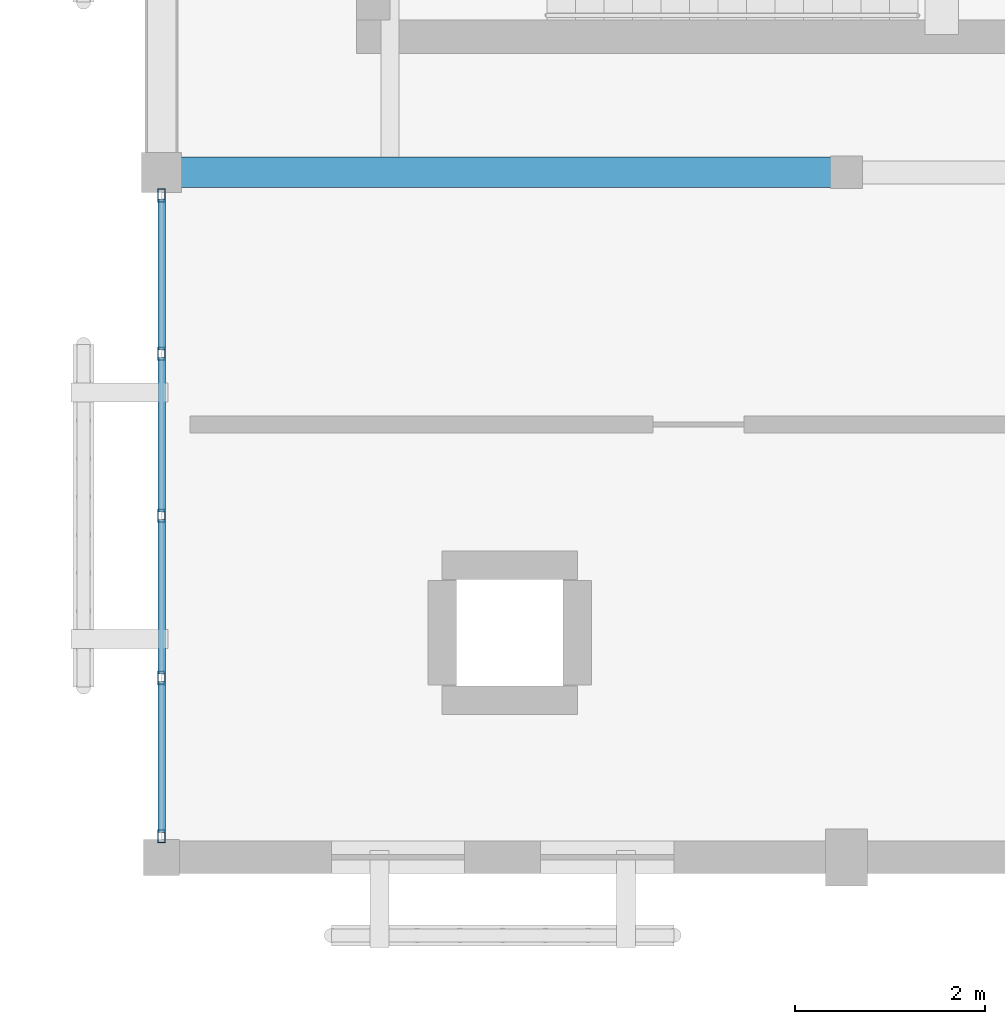
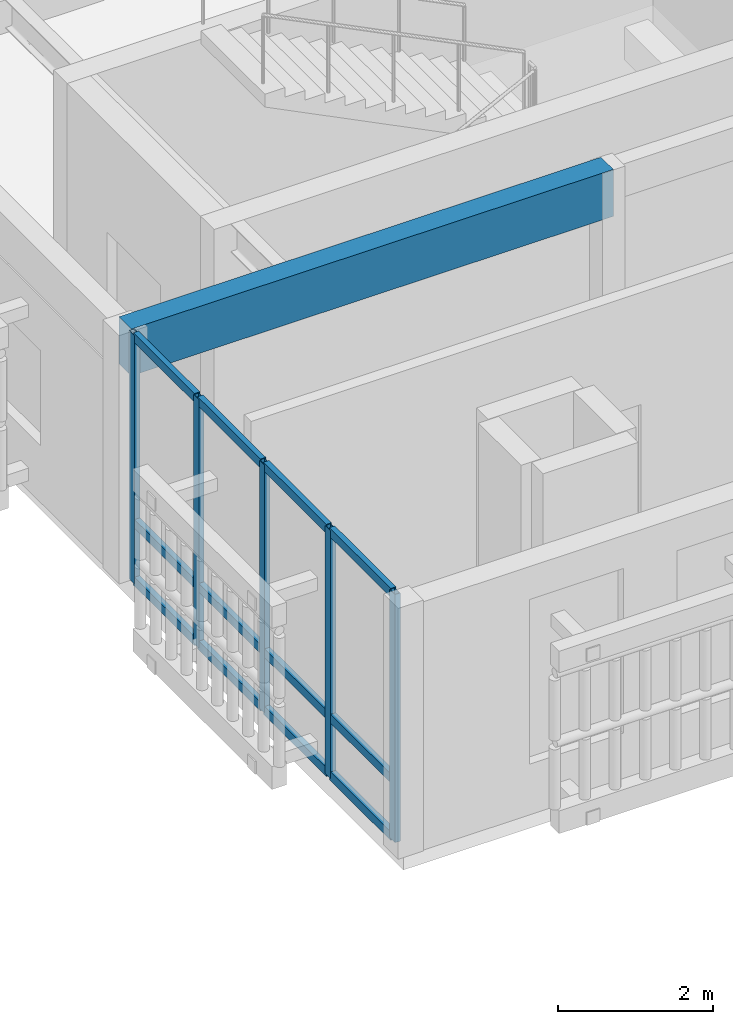
# One storey, part 45 of 217: 17 members, 1 beam, 1 element without a shape of its own.
"""IFC4 building model written with IfcOpenShell, lengths in metres."""

from ifc_helpers import new_model, si_unit, direction, frame, origin, origin_2d, place, context, subcontext, project, spatial, rectangle, hollow_rectangle, extrude, material, layer, layer_set, material_profile, profile_set, type_object, element, aggregate, save


model = new_model("IFC4")

# Units and contexts
model_context = context("Model", 3, precision=1e-05, world=origin(), true_north=direction((0.0, 1.0)))
body_context = subcontext(model_context, "Body", "Model", "MODEL_VIEW")
ifc_project = project(units=[si_unit("LENGTHUNIT", "METRE"), si_unit("AREAUNIT", "SQUARE_METRE"), si_unit("VOLUMEUNIT", "CUBIC_METRE"), si_unit("PLANEANGLEUNIT", "RADIAN"), si_unit("MASSUNIT", "GRAM", prefix="KILO")], contexts=[model_context])

# Site, building, storey
site_placement = place(None, origin())
site = spatial("IfcSite", under=ifc_project, at=site_placement, CompositionType="ELEMENT")
building_placement = place(site_placement, origin())
building = spatial("IfcBuilding", under=site, at=building_placement, Name="Mazaris Harbour Polytechnic", CompositionType="ELEMENT")
storey_placement = place(building_placement, frame((0.0, 0.0, 9.60009765625)))
storey = spatial("IfcBuildingStorey", under=building, at=storey_placement, Name="L02", CompositionType="ELEMENT", Elevation=9.60009765625)

# Curtain wall, members
ifc_material_1 = material(Name="Anodised Bronze Aluminium and Low-E Glass", Category="aluminium")
ifc_layer = layer(ifc_material_1, 0.159912109375, Name="Anodised Bronze Aluminium and Low-E Glass")
ifc_layer_set = layer_set([ifc_layer], Name="Anodised Bronze Aluminium and Low-E Glass")
curtain_wall_type = type_object("IfcCurtainWallType", Name="Cloister Court Curtain Wall", PredefinedType="NOTDEFINED", material=ifc_layer_set)
curtain_wall_placement = place(storey_placement, origin())
curtain_wall = element("IfcCurtainWall", 1, at=curtain_wall_placement, inside=storey, type_object=curtain_wall_type, Name="V2 L02 Curtain Wall 53", PredefinedType="NOTDEFINED")
ifc_material_2 = material(Name="Anodised Bronze Steel S355", Category="steel")
ifc_material_profile_1 = material_profile(ifc_material_2, hollow_rectangle(XDim=0.080078125, YDim=0.139892578125, WallThickness=0.00634765625, at=origin_2d()), Name="RHS 80x140x6.3")
ifc_profile_set_1 = profile_set([ifc_material_profile_1], Name="Anodised Bronze Steel S355")
member_type_1 = type_object("IfcMemberType", Name="Curtain Mullion RHS80x140", PredefinedType="MULLION", material=ifc_profile_set_1)
member_1_placement = place(storey_placement, frame((122.39990234375, 7.422119140625, 0.0), z_axis=(0.0, 0.0, 1.0), x_axis=(-1.0, 0.0, 0.0)))
member_1 = element("IfcMember", 2, at=member_1_placement, type_object=member_type_1, Name="CW-02 mullion 1", PredefinedType="MULLION", context=body_context, shape_type="SweptSolid", body=[
    extrude(hollow_rectangle(XDim=0.080078125, YDim=0.139892578125, WallThickness=0.00634765625, at=origin_2d()), origin(), (0.0, 0.0, 1.0), 3.919921875),
])
member_2_placement = place(storey_placement, frame((122.39990234375, 9.0859375, 0.0), z_axis=(0.0, 0.0, 1.0), x_axis=(-1.0, 0.0, 0.0)))
member_2 = element("IfcMember", 3, at=member_2_placement, type_object=member_type_1, Name="CW-02 mullion 2", PredefinedType="MULLION", context=body_context, shape_type="SweptSolid", body=[
    extrude(hollow_rectangle(XDim=0.080078125, YDim=0.139892578125, WallThickness=0.00634765625, at=origin_2d()), origin(), (0.0, 0.0, 1.0), 3.919921875),
])
member_3_placement = place(storey_placement, frame((122.39990234375, 10.7900390625, 0.0), z_axis=(0.0, 0.0, 1.0), x_axis=(-1.0, 0.0, 0.0)))
member_3 = element("IfcMember", 4, at=member_3_placement, type_object=member_type_1, Name="CW-02 mullion 3", PredefinedType="MULLION", context=body_context, shape_type="SweptSolid", body=[
    extrude(hollow_rectangle(XDim=0.080078125, YDim=0.139892578125, WallThickness=0.00634765625, at=origin_2d()), origin(), (0.0, 0.0, 1.0), 3.919921875),
])
member_4_placement = place(storey_placement, frame((122.39990234375, 12.493896484375, 0.0), z_axis=(0.0, 0.0, 1.0), x_axis=(-1.0, 0.0, 0.0)))
member_4 = element("IfcMember", 5, at=member_4_placement, type_object=member_type_1, Name="CW-02 mullion 4", PredefinedType="MULLION", context=body_context, shape_type="SweptSolid", body=[
    extrude(hollow_rectangle(XDim=0.080078125, YDim=0.139892578125, WallThickness=0.00634765625, at=origin_2d()), origin(), (0.0, 0.0, 1.0), 3.919921875),
])
member_5_placement = place(storey_placement, frame((122.39990234375, 14.157958984375, 0.0), z_axis=(0.0, 0.0, 1.0), x_axis=(-1.0, 0.0, 0.0)))
member_5 = element("IfcMember", 6, at=member_5_placement, type_object=member_type_1, Name="CW-02 mullion 5", PredefinedType="MULLION", context=body_context, shape_type="SweptSolid", body=[
    extrude(hollow_rectangle(XDim=0.080078125, YDim=0.139892578125, WallThickness=0.00634765625, at=origin_2d()), origin(), (0.0, 0.0, 1.0), 3.919921875),
])
ifc_material_3 = material(Name="Anodised Bronze Steel S355", Category="steel")
ifc_material_profile_2 = material_profile(ifc_material_3, hollow_rectangle(XDim=0.080078125, YDim=0.139892578125, WallThickness=0.00634765625, at=origin_2d()), Name="RHS 80x140x6.3")
ifc_profile_set_2 = profile_set([ifc_material_profile_2], Name="Anodised Bronze Steel S355")
member_type_2 = type_object("IfcMemberType", Name="Curtain Transom RHS80x140", PredefinedType="USERDEFINED", material=ifc_profile_set_2)
member_6_placement = place(storey_placement, frame((122.39990234375, 7.4619140625, 0.039794921875), z_axis=(0.0, 1.0, 0.0), x_axis=(-1.0, 0.0, 0.0)))
member_6 = element("IfcMember", 7, at=member_6_placement, type_object=member_type_2, Name="CW-02 transom 1.1", ObjectType="TRANSOM", PredefinedType="USERDEFINED", context=body_context, shape_type="SweptSolid", body=[
    extrude(hollow_rectangle(XDim=0.080078125, YDim=0.139892578125, WallThickness=0.00634765625, at=origin_2d()), origin(), (0.0, 0.0, 1.0), 1.583984375),
])
member_7_placement = place(storey_placement, frame((122.39990234375, 7.4619140625, 0.949951171875), z_axis=(0.0, 1.0, 0.0), x_axis=(-1.0, 0.0, 0.0)))
member_7 = element("IfcMember", 8, at=member_7_placement, type_object=member_type_2, Name="CW-02 transom 1.2", ObjectType="TRANSOM", PredefinedType="USERDEFINED", context=body_context, shape_type="SweptSolid", body=[
    extrude(hollow_rectangle(XDim=0.080078125, YDim=0.139892578125, WallThickness=0.00634765625, at=origin_2d()), origin(), (0.0, 0.0, 1.0), 1.583984375),
])
member_8_placement = place(storey_placement, frame((122.39990234375, 7.4619140625, 3.8798828125), z_axis=(0.0, 1.0, 0.0), x_axis=(-1.0, 0.0, 0.0)))
member_8 = element("IfcMember", 9, at=member_8_placement, type_object=member_type_2, Name="CW-02 transom 1.3", ObjectType="TRANSOM", PredefinedType="USERDEFINED", context=body_context, shape_type="SweptSolid", body=[
    extrude(hollow_rectangle(XDim=0.080078125, YDim=0.139892578125, WallThickness=0.00634765625, at=origin_2d()), origin(), (0.0, 0.0, 1.0), 1.583984375),
])
member_9_placement = place(storey_placement, frame((122.39990234375, 9.1259765625, 0.039794921875), z_axis=(0.0, 1.0, 0.0), x_axis=(-1.0, 0.0, 0.0)))
member_9 = element("IfcMember", 10, at=member_9_placement, type_object=member_type_2, Name="CW-02 transom 2.1", ObjectType="TRANSOM", PredefinedType="USERDEFINED", context=body_context, shape_type="SweptSolid", body=[
    extrude(hollow_rectangle(XDim=0.080078125, YDim=0.139892578125, WallThickness=0.00634765625, at=origin_2d()), origin(), (0.0, 0.0, 1.0), 1.6240234375),
])
member_10_placement = place(storey_placement, frame((122.39990234375, 9.1259765625, 0.949951171875), z_axis=(0.0, 1.0, 0.0), x_axis=(-1.0, 0.0, 0.0)))
member_10 = element("IfcMember", 11, at=member_10_placement, type_object=member_type_2, Name="CW-02 transom 2.2", ObjectType="TRANSOM", PredefinedType="USERDEFINED", context=body_context, shape_type="SweptSolid", body=[
    extrude(hollow_rectangle(XDim=0.080078125, YDim=0.139892578125, WallThickness=0.00634765625, at=origin_2d()), origin(), (0.0, 0.0, 1.0), 1.6240234375),
])
member_11_placement = place(storey_placement, frame((122.39990234375, 9.1259765625, 3.8798828125), z_axis=(0.0, 1.0, 0.0), x_axis=(-1.0, 0.0, 0.0)))
member_11 = element("IfcMember", 12, at=member_11_placement, type_object=member_type_2, Name="CW-02 transom 2.3", ObjectType="TRANSOM", PredefinedType="USERDEFINED", context=body_context, shape_type="SweptSolid", body=[
    extrude(hollow_rectangle(XDim=0.080078125, YDim=0.139892578125, WallThickness=0.00634765625, at=origin_2d()), origin(), (0.0, 0.0, 1.0), 1.6240234375),
])
member_12_placement = place(storey_placement, frame((122.39990234375, 10.830078125, 0.039794921875), z_axis=(0.0, 1.0, 0.0), x_axis=(-1.0, 0.0, 0.0)))
member_12 = element("IfcMember", 13, at=member_12_placement, type_object=member_type_2, Name="CW-02 transom 3.1", ObjectType="TRANSOM", PredefinedType="USERDEFINED", context=body_context, shape_type="SweptSolid", body=[
    extrude(hollow_rectangle(XDim=0.080078125, YDim=0.139892578125, WallThickness=0.00634765625, at=origin_2d()), origin(), (0.0, 0.0, 1.0), 1.6240234375),
])
member_13_placement = place(storey_placement, frame((122.39990234375, 10.830078125, 0.949951171875), z_axis=(0.0, 1.0, 0.0), x_axis=(-1.0, 0.0, 0.0)))
member_13 = element("IfcMember", 14, at=member_13_placement, type_object=member_type_2, Name="CW-02 transom 3.2", ObjectType="TRANSOM", PredefinedType="USERDEFINED", context=body_context, shape_type="SweptSolid", body=[
    extrude(hollow_rectangle(XDim=0.080078125, YDim=0.139892578125, WallThickness=0.00634765625, at=origin_2d()), origin(), (0.0, 0.0, 1.0), 1.6240234375),
])
member_14_placement = place(storey_placement, frame((122.39990234375, 10.830078125, 3.8798828125), z_axis=(0.0, 1.0, 0.0), x_axis=(-1.0, 0.0, 0.0)))
member_14 = element("IfcMember", 15, at=member_14_placement, type_object=member_type_2, Name="CW-02 transom 3.3", ObjectType="TRANSOM", PredefinedType="USERDEFINED", context=body_context, shape_type="SweptSolid", body=[
    extrude(hollow_rectangle(XDim=0.080078125, YDim=0.139892578125, WallThickness=0.00634765625, at=origin_2d()), origin(), (0.0, 0.0, 1.0), 1.6240234375),
])
member_15_placement = place(storey_placement, frame((122.39990234375, 12.533935546875, 0.039794921875), z_axis=(0.0, 1.0, 0.0), x_axis=(-1.0, 0.0, 0.0)))
member_15 = element("IfcMember", 16, at=member_15_placement, type_object=member_type_2, Name="CW-02 transom 4.1", ObjectType="TRANSOM", PredefinedType="USERDEFINED", context=body_context, shape_type="SweptSolid", body=[
    extrude(hollow_rectangle(XDim=0.080078125, YDim=0.139892578125, WallThickness=0.00634765625, at=origin_2d()), origin(), (0.0, 0.0, 1.0), 1.583984375),
])
member_16_placement = place(storey_placement, frame((122.39990234375, 12.533935546875, 0.949951171875), z_axis=(0.0, 1.0, 0.0), x_axis=(-1.0, 0.0, 0.0)))
member_16 = element("IfcMember", 17, at=member_16_placement, type_object=member_type_2, Name="CW-02 transom 4.2", ObjectType="TRANSOM", PredefinedType="USERDEFINED", context=body_context, shape_type="SweptSolid", body=[
    extrude(hollow_rectangle(XDim=0.080078125, YDim=0.139892578125, WallThickness=0.00634765625, at=origin_2d()), origin(), (0.0, 0.0, 1.0), 1.583984375),
])
member_17_placement = place(storey_placement, frame((122.39990234375, 12.533935546875, 3.8798828125), z_axis=(0.0, 1.0, 0.0), x_axis=(-1.0, 0.0, 0.0)))
member_17 = element("IfcMember", 18, at=member_17_placement, type_object=member_type_2, Name="CW-02 transom 4.3", ObjectType="TRANSOM", PredefinedType="USERDEFINED", context=body_context, shape_type="SweptSolid", body=[
    extrude(hollow_rectangle(XDim=0.080078125, YDim=0.139892578125, WallThickness=0.00634765625, at=origin_2d()), origin(), (0.0, 0.0, 1.0), 1.583984375),
])
aggregate(curtain_wall, [member_1, member_2, member_3, member_4, member_5, member_6, member_7, member_8, member_9, member_10, member_11, member_12, member_13, member_14, member_15, member_16, member_17])

# Beam
ifc_material_4 = material(Name="Glulam GL32h", Category="wood")
ifc_material_profile_3 = material_profile(ifc_material_4, rectangle(XDim=0.320068359375, YDim=0.739990234375, at=origin_2d()), Name="RECT320x740")
ifc_profile_set_3 = profile_set([ifc_material_profile_3], Name="Glulam GL32h")
beam_type = type_object("IfcBeamType", Name="Glulam Girder 320x740 Exterior", PredefinedType="BEAM", material=ifc_profile_set_3)
beam_placement = place(storey_placement, frame((122.39990234375, 14.39990234375, 3.5498046875), z_axis=(1.0, 0.0, 0.0), x_axis=(0.0, 1.0, 0.0)))
element("IfcBeam", 19, at=beam_placement, inside=storey, type_object=beam_type, Name="V2 L02 Girder 644", PredefinedType="BEAM", context=body_context, shape_type="SweptSolid", body=[
    extrude(rectangle(XDim=0.320068359375, YDim=0.739990234375, at=origin_2d()), origin(), (0.0, 0.0, 1.0), 7.2001953125),
])

save(model, "model.ifc")
